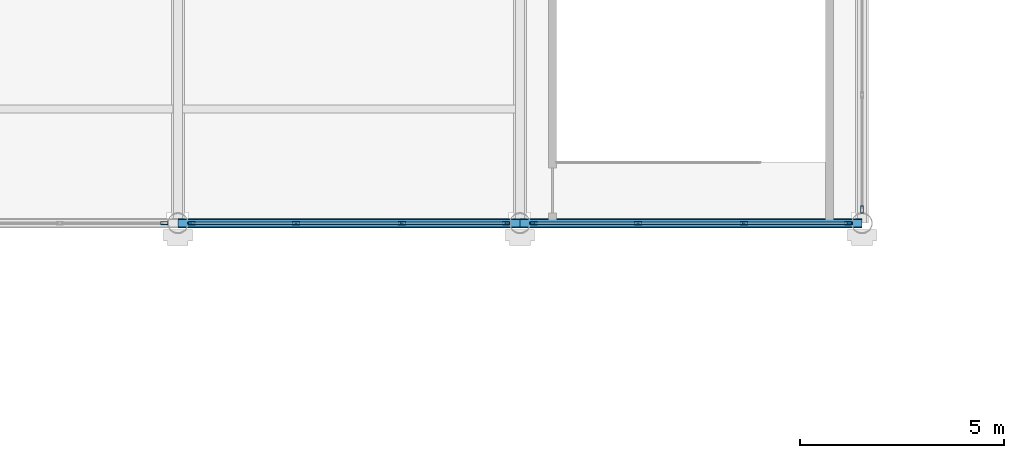
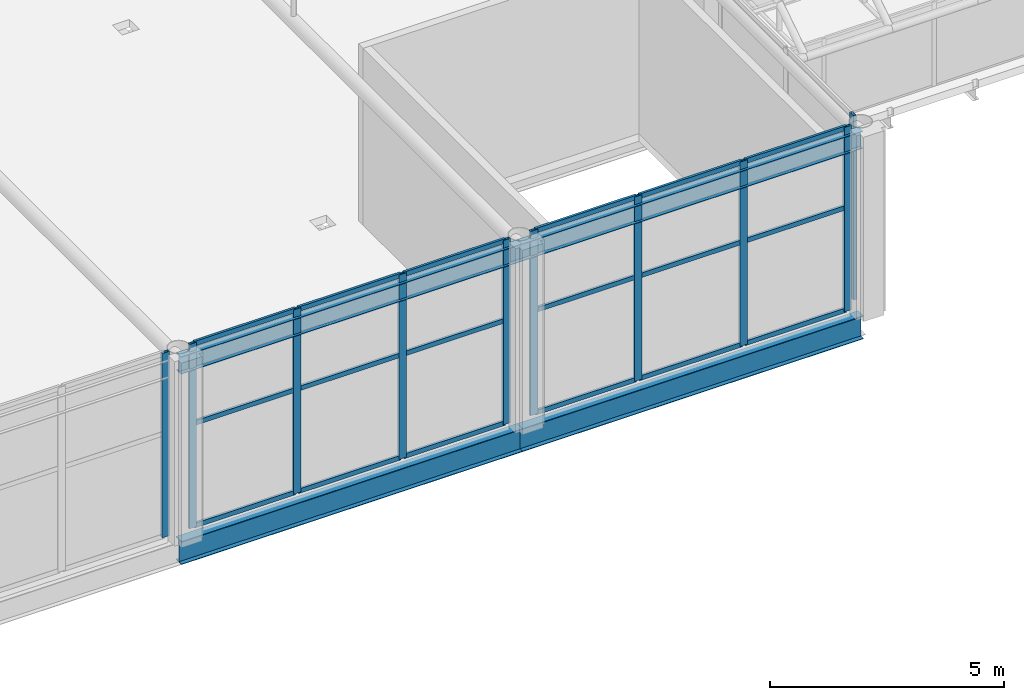
# One storey, part 30 of 167: 28 members, 4 beams, 4 elements without a shape of their own.
"""IFC4 building model written with IfcOpenShell, lengths in metres."""

from ifc_helpers import new_model, si_unit, direction, frame, origin, origin_2d, place, context, subcontext, project, spatial, hollow_rectangle, i_section, extrude, material, material_profile, profile_set, type_object, element, aggregate, save


model = new_model("IFC4")

# Units and contexts
model_context = context("Model", 3, precision=1e-05, world=origin(), true_north=direction((0.0, 1.0)))
body_context = subcontext(model_context, "Body", "Model", "MODEL_VIEW")
ifc_project = project(units=[si_unit("LENGTHUNIT", "METRE"), si_unit("AREAUNIT", "SQUARE_METRE"), si_unit("VOLUMEUNIT", "CUBIC_METRE"), si_unit("PLANEANGLEUNIT", "RADIAN"), si_unit("MASSUNIT", "GRAM", prefix="KILO")], contexts=[model_context])

# Site, building, storey
site_placement = place(None, origin())
site = spatial("IfcSite", under=ifc_project, at=site_placement, CompositionType="ELEMENT")
building_placement = place(site_placement, origin())
building = spatial("IfcBuilding", under=site, at=building_placement, Name="Catenary Quay Ferry Terminal", CompositionType="ELEMENT")
storey_placement = place(building_placement, frame((0.0, 0.0, 6.0)))
storey = spatial("IfcBuildingStorey", under=building, at=storey_placement, Name="L01", CompositionType="ELEMENT", Elevation=6.0)

# Beams
ifc_material_1 = material(Name="Steel S355", Category="steel")
ifc_material_profile_1 = material_profile(ifc_material_1, i_section(OverallWidth=0.18994140625, OverallDepth=0.453369140625, WebThickness=0.008544921875, FlangeThickness=0.0126953125, at=origin_2d()), Name="UB 457x191x67")
ifc_profile_set_1 = profile_set([ifc_material_profile_1], Name="Steel S355")
beam_type_1 = type_object("IfcBeamType", Name="B1 UB 457x191x67", PredefinedType="BEAM", material=ifc_profile_set_1)
for number, where, z_axis, x_axis, name in (
    (1, (75.60009765625, 67.199951171875, 4.373046875), (1.0, 0.0, 0.0), (0.0, 1.0, 0.0), "Beam B1-007"),
    (2, (84.0, 67.199951171875, 4.373046875), (1.0, 0.0, 0.0), (0.0, 1.0, 0.0), "Beam B1-008"),
):
    element("IfcBeam", number, at=place(storey_placement, frame(where, z_axis=z_axis, x_axis=x_axis)), inside=storey, type_object=beam_type_1, Name=name, PredefinedType="BEAM", context=body_context, shape_type="SweptSolid", body=[
        extrude(i_section(OverallWidth=0.18994140625, OverallDepth=0.453369140625, WebThickness=0.008544921875, FlangeThickness=0.0126953125, at=origin_2d()), origin(), (0.0, 0.0, 1.0), 8.39990234375),
    ])
ifc_material_2 = material(Name="Steel S355", Category="steel")
ifc_material_profile_2 = material_profile(ifc_material_2, i_section(OverallWidth=0.2275390625, OverallDepth=0.6025390625, WebThickness=0.010498046875, FlangeThickness=0.014892578125, at=origin_2d()), Name="UB 610x229x101")
ifc_profile_set_2 = profile_set([ifc_material_profile_2], Name="Steel S355")
beam_type_2 = type_object("IfcBeamType", Name="B3 UB 610x229x101", PredefinedType="BEAM", material=ifc_profile_set_2)
for number, where, z_axis, x_axis, name in (
    (3, (75.60009765625, 67.199951171875, -0.5009765625), (1.0, 0.0, 0.0), (0.0, 1.0, 0.0), "Beam B3-003"),
    (4, (84.0, 67.199951171875, -0.5009765625), (1.0, 0.0, 0.0), (0.0, 1.0, 0.0), "Beam B3-004"),
):
    element("IfcBeam", number, at=place(storey_placement, frame(where, z_axis=z_axis, x_axis=x_axis)), inside=storey, type_object=beam_type_2, Name=name, PredefinedType="BEAM", context=body_context, shape_type="SweptSolid", body=[
        extrude(i_section(OverallWidth=0.2275390625, OverallDepth=0.6025390625, WebThickness=0.010498046875, FlangeThickness=0.014892578125, at=origin_2d()), origin(), (0.0, 0.0, 1.0), 8.39990234375),
    ])

# Curtain wall, member
ifc_material_3 = material(Name="Aluminium and glass", Category="aluminium")
curtain_wall_type_1 = type_object("IfcCurtainWallType", Name="CWM", PredefinedType="NOTDEFINED", material=ifc_material_3)
curtain_wall_1_placement = place(storey_placement, origin())
curtain_wall_1 = element("IfcCurtainWall", 5, at=curtain_wall_1_placement, inside=storey, type_object=curtain_wall_type_1, Name="Gable arrivals hall curtain wall CW9", PredefinedType="NOTDEFINED")
ifc_material_4 = material(Name="Aluminium", Category="aluminium")
ifc_material_profile_3 = material_profile(ifc_material_4, hollow_rectangle(XDim=0.070068359375, YDim=0.179931640625, WallThickness=0.006103515625, at=origin_2d()), Name="MU3")
ifc_profile_set_3 = profile_set([ifc_material_profile_3], Name="Aluminium")
member_type_1 = type_object("IfcMemberType", Name="MU3", PredefinedType="MULLION", material=ifc_profile_set_3)
member_1_placement = place(storey_placement, frame((92.39990234375, 67.534912109375, 0.0), z_axis=(0.0, 0.0, 1.0), x_axis=(-1.0, 0.0, 0.0)))
member_1 = element("IfcMember", 6, at=member_1_placement, type_object=member_type_1, Name="CW9 mullion 1", PredefinedType="MULLION", context=body_context, shape_type="SweptSolid", body=[
    extrude(hollow_rectangle(XDim=0.070068359375, YDim=0.179931640625, WallThickness=0.006103515625, at=origin_2d()), origin(), (0.0, 0.0, 1.0), 4.800048828125),
])
aggregate(curtain_wall_1, [member_1])

ifc_material_5 = material(Name="Aluminium and glass", Category="aluminium")
curtain_wall_type_2 = type_object("IfcCurtainWallType", Name="CWH", PredefinedType="NOTDEFINED", material=ifc_material_5)
curtain_wall_2_placement = place(storey_placement, origin())
curtain_wall_2 = element("IfcCurtainWall", 7, at=curtain_wall_2_placement, inside=storey, type_object=curtain_wall_type_2, Name="Hall curtain wall CW37", PredefinedType="NOTDEFINED")
member_2_placement = place(storey_placement, frame((75.264892578125, 67.199951171875, 0.0), z_axis=(0.0, 0.0, 1.0), x_axis=(0.0, 1.0, 0.0)))
member_2 = element("IfcMember", 8, at=member_2_placement, type_object=member_type_1, Name="CW37 mullion 4", PredefinedType="MULLION", context=body_context, shape_type="SweptSolid", body=[
    extrude(hollow_rectangle(XDim=0.070068359375, YDim=0.179931640625, WallThickness=0.006103515625, at=origin_2d()), origin(), (0.0, 0.0, 1.0), 4.800048828125),
])
aggregate(curtain_wall_2, [member_2])

# Curtain wall, members
curtain_wall_3_placement = place(storey_placement, origin())
curtain_wall_3 = element("IfcCurtainWall", 9, at=curtain_wall_3_placement, inside=storey, type_object=curtain_wall_type_2, Name="Hall curtain wall CW38", PredefinedType="NOTDEFINED")
member_3_placement = place(storey_placement, frame((75.93505859375, 67.199951171875, 0.0), z_axis=(0.0, 0.0, 1.0), x_axis=(0.0, 1.0, 0.0)))
member_3 = element("IfcMember", 10, at=member_3_placement, type_object=member_type_1, Name="CW38 mullion 1", PredefinedType="MULLION", context=body_context, shape_type="SweptSolid", body=[
    extrude(hollow_rectangle(XDim=0.070068359375, YDim=0.179931640625, WallThickness=0.006103515625, at=origin_2d()), origin(), (0.0, 0.0, 1.0), 4.800048828125),
])
member_4_placement = place(storey_placement, frame((78.5, 67.199951171875, 0.0), z_axis=(0.0, 0.0, 1.0), x_axis=(0.0, 1.0, 0.0)))
member_4 = element("IfcMember", 11, at=member_4_placement, type_object=member_type_1, Name="CW38 mullion 2", PredefinedType="MULLION", context=body_context, shape_type="SweptSolid", body=[
    extrude(hollow_rectangle(XDim=0.070068359375, YDim=0.179931640625, WallThickness=0.006103515625, at=origin_2d()), origin(), (0.0, 0.0, 1.0), 4.800048828125),
])
member_5_placement = place(storey_placement, frame((81.10009765625, 67.199951171875, 0.0), z_axis=(0.0, 0.0, 1.0), x_axis=(0.0, 1.0, 0.0)))
member_5 = element("IfcMember", 12, at=member_5_placement, type_object=member_type_1, Name="CW38 mullion 3", PredefinedType="MULLION", context=body_context, shape_type="SweptSolid", body=[
    extrude(hollow_rectangle(XDim=0.070068359375, YDim=0.179931640625, WallThickness=0.006103515625, at=origin_2d()), origin(), (0.0, 0.0, 1.0), 4.800048828125),
])
member_6_placement = place(storey_placement, frame((83.6650390625, 67.199951171875, 0.0), z_axis=(0.0, 0.0, 1.0), x_axis=(0.0, 1.0, 0.0)))
member_6 = element("IfcMember", 13, at=member_6_placement, type_object=member_type_1, Name="CW38 mullion 4", PredefinedType="MULLION", context=body_context, shape_type="SweptSolid", body=[
    extrude(hollow_rectangle(XDim=0.070068359375, YDim=0.179931640625, WallThickness=0.006103515625, at=origin_2d()), origin(), (0.0, 0.0, 1.0), 4.800048828125),
])

curtain_wall_4_placement = place(storey_placement, origin())
curtain_wall_4 = element("IfcCurtainWall", 14, at=curtain_wall_4_placement, inside=storey, type_object=curtain_wall_type_2, Name="Hall curtain wall CW39", PredefinedType="NOTDEFINED")
member_7_placement = place(storey_placement, frame((84.3349609375, 67.199951171875, 0.0), z_axis=(0.0, 0.0, 1.0), x_axis=(0.0, 1.0, 0.0)))
member_7 = element("IfcMember", 15, at=member_7_placement, type_object=member_type_1, Name="CW39 mullion 1", PredefinedType="MULLION", context=body_context, shape_type="SweptSolid", body=[
    extrude(hollow_rectangle(XDim=0.070068359375, YDim=0.179931640625, WallThickness=0.006103515625, at=origin_2d()), origin(), (0.0, 0.0, 1.0), 4.800048828125),
])
member_8_placement = place(storey_placement, frame((86.89990234375, 67.199951171875, 0.0), z_axis=(0.0, 0.0, 1.0), x_axis=(0.0, 1.0, 0.0)))
member_8 = element("IfcMember", 16, at=member_8_placement, type_object=member_type_1, Name="CW39 mullion 2", PredefinedType="MULLION", context=body_context, shape_type="SweptSolid", body=[
    extrude(hollow_rectangle(XDim=0.070068359375, YDim=0.179931640625, WallThickness=0.006103515625, at=origin_2d()), origin(), (0.0, 0.0, 1.0), 4.800048828125),
])
member_9_placement = place(storey_placement, frame((89.5, 67.199951171875, 0.0), z_axis=(0.0, 0.0, 1.0), x_axis=(0.0, 1.0, 0.0)))
member_9 = element("IfcMember", 17, at=member_9_placement, type_object=member_type_1, Name="CW39 mullion 3", PredefinedType="MULLION", context=body_context, shape_type="SweptSolid", body=[
    extrude(hollow_rectangle(XDim=0.070068359375, YDim=0.179931640625, WallThickness=0.006103515625, at=origin_2d()), origin(), (0.0, 0.0, 1.0), 4.800048828125),
])
member_10_placement = place(storey_placement, frame((92.06494140625, 67.199951171875, 0.0), z_axis=(0.0, 0.0, 1.0), x_axis=(0.0, 1.0, 0.0)))
member_10 = element("IfcMember", 18, at=member_10_placement, type_object=member_type_1, Name="CW39 mullion 4", PredefinedType="MULLION", context=body_context, shape_type="SweptSolid", body=[
    extrude(hollow_rectangle(XDim=0.070068359375, YDim=0.179931640625, WallThickness=0.006103515625, at=origin_2d()), origin(), (0.0, 0.0, 1.0), 4.800048828125),
])

# Member
ifc_material_6 = material(Name="Aluminium", Category="aluminium")
ifc_material_profile_4 = material_profile(ifc_material_6, hollow_rectangle(XDim=0.06005859375, YDim=0.1201171875, WallThickness=0.0048828125, at=origin_2d()), Name="TR3")
ifc_profile_set_4 = profile_set([ifc_material_profile_4], Name="Aluminium")
member_type_2 = type_object("IfcMemberType", Name="TR3", PredefinedType="USERDEFINED", material=ifc_profile_set_4)
member_11_placement = place(storey_placement, frame((75.969970703125, 67.199951171875, 0.030029296875), z_axis=(1.0, 0.0, 0.0), x_axis=(0.0, 1.0, 0.0)))
member_11 = element("IfcMember", 19, at=member_11_placement, type_object=member_type_2, Name="CW38 transom 1.1", ObjectType="TRANSOM", PredefinedType="USERDEFINED", context=body_context, shape_type="SweptSolid", body=[
    extrude(hollow_rectangle(XDim=0.06005859375, YDim=0.1201171875, WallThickness=0.0048828125, at=origin_2d()), origin(), (0.0, 0.0, 1.0), 2.4951171875),
])

member_12_placement = place(storey_placement, frame((75.969970703125, 67.199951171875, 2.699951171875), z_axis=(1.0, 0.0, 0.0), x_axis=(0.0, 1.0, 0.0)))
member_12 = element("IfcMember", 20, at=member_12_placement, type_object=member_type_2, Name="CW38 transom 1.2", ObjectType="TRANSOM", PredefinedType="USERDEFINED", context=body_context, shape_type="SweptSolid", body=[
    extrude(hollow_rectangle(XDim=0.06005859375, YDim=0.1201171875, WallThickness=0.0048828125, at=origin_2d()), origin(), (0.0, 0.0, 1.0), 2.4951171875),
])

member_13_placement = place(storey_placement, frame((75.969970703125, 67.199951171875, 4.77001953125), z_axis=(1.0, 0.0, 0.0), x_axis=(0.0, 1.0, 0.0)))
member_13 = element("IfcMember", 21, at=member_13_placement, type_object=member_type_2, Name="CW38 transom 1.3", ObjectType="TRANSOM", PredefinedType="USERDEFINED", context=body_context, shape_type="SweptSolid", body=[
    extrude(hollow_rectangle(XDim=0.06005859375, YDim=0.1201171875, WallThickness=0.0048828125, at=origin_2d()), origin(), (0.0, 0.0, 1.0), 2.4951171875),
])

member_14_placement = place(storey_placement, frame((78.534912109375, 67.199951171875, 0.030029296875), z_axis=(1.0, 0.0, 0.0), x_axis=(0.0, 1.0, 0.0)))
member_14 = element("IfcMember", 22, at=member_14_placement, type_object=member_type_2, Name="CW38 transom 2.1", ObjectType="TRANSOM", PredefinedType="USERDEFINED", context=body_context, shape_type="SweptSolid", body=[
    extrude(hollow_rectangle(XDim=0.06005859375, YDim=0.1201171875, WallThickness=0.0048828125, at=origin_2d()), origin(), (0.0, 0.0, 1.0), 2.530029296875),
])

member_15_placement = place(storey_placement, frame((78.534912109375, 67.199951171875, 2.699951171875), z_axis=(1.0, 0.0, 0.0), x_axis=(0.0, 1.0, 0.0)))
member_15 = element("IfcMember", 23, at=member_15_placement, type_object=member_type_2, Name="CW38 transom 2.2", ObjectType="TRANSOM", PredefinedType="USERDEFINED", context=body_context, shape_type="SweptSolid", body=[
    extrude(hollow_rectangle(XDim=0.06005859375, YDim=0.1201171875, WallThickness=0.0048828125, at=origin_2d()), origin(), (0.0, 0.0, 1.0), 2.530029296875),
])

member_16_placement = place(storey_placement, frame((78.534912109375, 67.199951171875, 4.77001953125), z_axis=(1.0, 0.0, 0.0), x_axis=(0.0, 1.0, 0.0)))
member_16 = element("IfcMember", 24, at=member_16_placement, type_object=member_type_2, Name="CW38 transom 2.3", ObjectType="TRANSOM", PredefinedType="USERDEFINED", context=body_context, shape_type="SweptSolid", body=[
    extrude(hollow_rectangle(XDim=0.06005859375, YDim=0.1201171875, WallThickness=0.0048828125, at=origin_2d()), origin(), (0.0, 0.0, 1.0), 2.530029296875),
])

member_17_placement = place(storey_placement, frame((81.135009765625, 67.199951171875, 0.030029296875), z_axis=(1.0, 0.0, 0.0), x_axis=(0.0, 1.0, 0.0)))
member_17 = element("IfcMember", 25, at=member_17_placement, type_object=member_type_2, Name="CW38 transom 3.1", ObjectType="TRANSOM", PredefinedType="USERDEFINED", context=body_context, shape_type="SweptSolid", body=[
    extrude(hollow_rectangle(XDim=0.06005859375, YDim=0.1201171875, WallThickness=0.0048828125, at=origin_2d()), origin(), (0.0, 0.0, 1.0), 2.494873046875),
])

member_18_placement = place(storey_placement, frame((81.135009765625, 67.199951171875, 2.699951171875), z_axis=(1.0, 0.0, 0.0), x_axis=(0.0, 1.0, 0.0)))
member_18 = element("IfcMember", 26, at=member_18_placement, type_object=member_type_2, Name="CW38 transom 3.2", ObjectType="TRANSOM", PredefinedType="USERDEFINED", context=body_context, shape_type="SweptSolid", body=[
    extrude(hollow_rectangle(XDim=0.06005859375, YDim=0.1201171875, WallThickness=0.0048828125, at=origin_2d()), origin(), (0.0, 0.0, 1.0), 2.494873046875),
])

member_19_placement = place(storey_placement, frame((81.135009765625, 67.199951171875, 4.77001953125), z_axis=(1.0, 0.0, 0.0), x_axis=(0.0, 1.0, 0.0)))
member_19 = element("IfcMember", 27, at=member_19_placement, type_object=member_type_2, Name="CW38 transom 3.3", ObjectType="TRANSOM", PredefinedType="USERDEFINED", context=body_context, shape_type="SweptSolid", body=[
    extrude(hollow_rectangle(XDim=0.06005859375, YDim=0.1201171875, WallThickness=0.0048828125, at=origin_2d()), origin(), (0.0, 0.0, 1.0), 2.494873046875),
])

aggregate(curtain_wall_3, [member_3, member_4, member_5, member_6, member_11, member_12, member_13, member_14, member_15, member_16, member_17, member_18, member_19])

member_20_placement = place(storey_placement, frame((84.3701171875, 67.199951171875, 0.030029296875), z_axis=(1.0, 0.0, 0.0), x_axis=(0.0, 1.0, 0.0)))
member_20 = element("IfcMember", 28, at=member_20_placement, type_object=member_type_2, Name="CW39 transom 1.1", ObjectType="TRANSOM", PredefinedType="USERDEFINED", context=body_context, shape_type="SweptSolid", body=[
    extrude(hollow_rectangle(XDim=0.06005859375, YDim=0.1201171875, WallThickness=0.0048828125, at=origin_2d()), origin(), (0.0, 0.0, 1.0), 2.494873046875),
])

member_21_placement = place(storey_placement, frame((84.3701171875, 67.199951171875, 2.699951171875), z_axis=(1.0, 0.0, 0.0), x_axis=(0.0, 1.0, 0.0)))
member_21 = element("IfcMember", 29, at=member_21_placement, type_object=member_type_2, Name="CW39 transom 1.2", ObjectType="TRANSOM", PredefinedType="USERDEFINED", context=body_context, shape_type="SweptSolid", body=[
    extrude(hollow_rectangle(XDim=0.06005859375, YDim=0.1201171875, WallThickness=0.0048828125, at=origin_2d()), origin(), (0.0, 0.0, 1.0), 2.494873046875),
])

member_22_placement = place(storey_placement, frame((84.3701171875, 67.199951171875, 4.77001953125), z_axis=(1.0, 0.0, 0.0), x_axis=(0.0, 1.0, 0.0)))
member_22 = element("IfcMember", 30, at=member_22_placement, type_object=member_type_2, Name="CW39 transom 1.3", ObjectType="TRANSOM", PredefinedType="USERDEFINED", context=body_context, shape_type="SweptSolid", body=[
    extrude(hollow_rectangle(XDim=0.06005859375, YDim=0.1201171875, WallThickness=0.0048828125, at=origin_2d()), origin(), (0.0, 0.0, 1.0), 2.494873046875),
])

member_23_placement = place(storey_placement, frame((86.93505859375, 67.199951171875, 0.030029296875), z_axis=(1.0, 0.0, 0.0), x_axis=(0.0, 1.0, 0.0)))
member_23 = element("IfcMember", 31, at=member_23_placement, type_object=member_type_2, Name="CW39 transom 2.1", ObjectType="TRANSOM", PredefinedType="USERDEFINED", context=body_context, shape_type="SweptSolid", body=[
    extrude(hollow_rectangle(XDim=0.06005859375, YDim=0.1201171875, WallThickness=0.0048828125, at=origin_2d()), origin(), (0.0, 0.0, 1.0), 2.530029296875),
])

member_24_placement = place(storey_placement, frame((86.93505859375, 67.199951171875, 2.699951171875), z_axis=(1.0, 0.0, 0.0), x_axis=(0.0, 1.0, 0.0)))
member_24 = element("IfcMember", 32, at=member_24_placement, type_object=member_type_2, Name="CW39 transom 2.2", ObjectType="TRANSOM", PredefinedType="USERDEFINED", context=body_context, shape_type="SweptSolid", body=[
    extrude(hollow_rectangle(XDim=0.06005859375, YDim=0.1201171875, WallThickness=0.0048828125, at=origin_2d()), origin(), (0.0, 0.0, 1.0), 2.530029296875),
])

member_25_placement = place(storey_placement, frame((86.93505859375, 67.199951171875, 4.77001953125), z_axis=(1.0, 0.0, 0.0), x_axis=(0.0, 1.0, 0.0)))
member_25 = element("IfcMember", 33, at=member_25_placement, type_object=member_type_2, Name="CW39 transom 2.3", ObjectType="TRANSOM", PredefinedType="USERDEFINED", context=body_context, shape_type="SweptSolid", body=[
    extrude(hollow_rectangle(XDim=0.06005859375, YDim=0.1201171875, WallThickness=0.0048828125, at=origin_2d()), origin(), (0.0, 0.0, 1.0), 2.530029296875),
])

member_26_placement = place(storey_placement, frame((89.534912109375, 67.199951171875, 0.030029296875), z_axis=(1.0, 0.0, 0.0), x_axis=(0.0, 1.0, 0.0)))
member_26 = element("IfcMember", 34, at=member_26_placement, type_object=member_type_2, Name="CW39 transom 3.1", ObjectType="TRANSOM", PredefinedType="USERDEFINED", context=body_context, shape_type="SweptSolid", body=[
    extrude(hollow_rectangle(XDim=0.06005859375, YDim=0.1201171875, WallThickness=0.0048828125, at=origin_2d()), origin(), (0.0, 0.0, 1.0), 2.4951171875),
])

member_27_placement = place(storey_placement, frame((89.534912109375, 67.199951171875, 2.699951171875), z_axis=(1.0, 0.0, 0.0), x_axis=(0.0, 1.0, 0.0)))
member_27 = element("IfcMember", 35, at=member_27_placement, type_object=member_type_2, Name="CW39 transom 3.2", ObjectType="TRANSOM", PredefinedType="USERDEFINED", context=body_context, shape_type="SweptSolid", body=[
    extrude(hollow_rectangle(XDim=0.06005859375, YDim=0.1201171875, WallThickness=0.0048828125, at=origin_2d()), origin(), (0.0, 0.0, 1.0), 2.4951171875),
])

member_28_placement = place(storey_placement, frame((89.534912109375, 67.199951171875, 4.77001953125), z_axis=(1.0, 0.0, 0.0), x_axis=(0.0, 1.0, 0.0)))
member_28 = element("IfcMember", 36, at=member_28_placement, type_object=member_type_2, Name="CW39 transom 3.3", ObjectType="TRANSOM", PredefinedType="USERDEFINED", context=body_context, shape_type="SweptSolid", body=[
    extrude(hollow_rectangle(XDim=0.06005859375, YDim=0.1201171875, WallThickness=0.0048828125, at=origin_2d()), origin(), (0.0, 0.0, 1.0), 2.4951171875),
])

aggregate(curtain_wall_4, [member_7, member_8, member_9, member_10, member_20, member_21, member_22, member_23, member_24, member_25, member_26, member_27, member_28])

save(model, "model.ifc")
